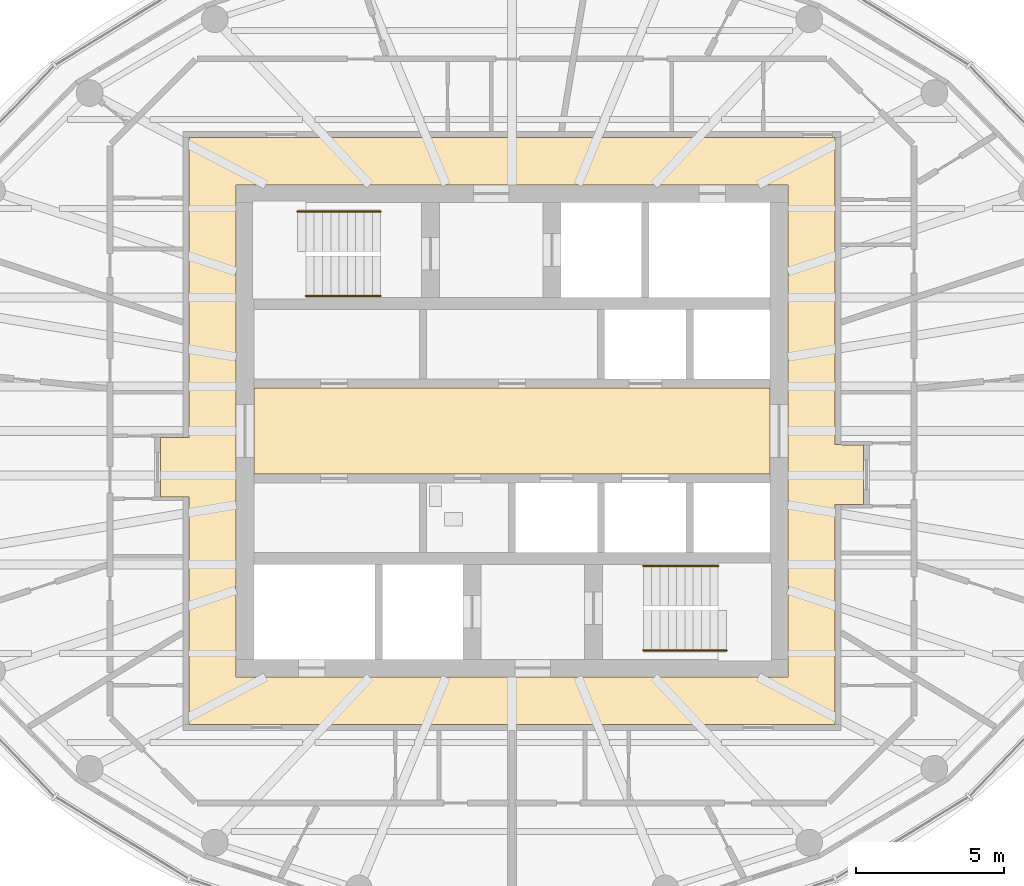
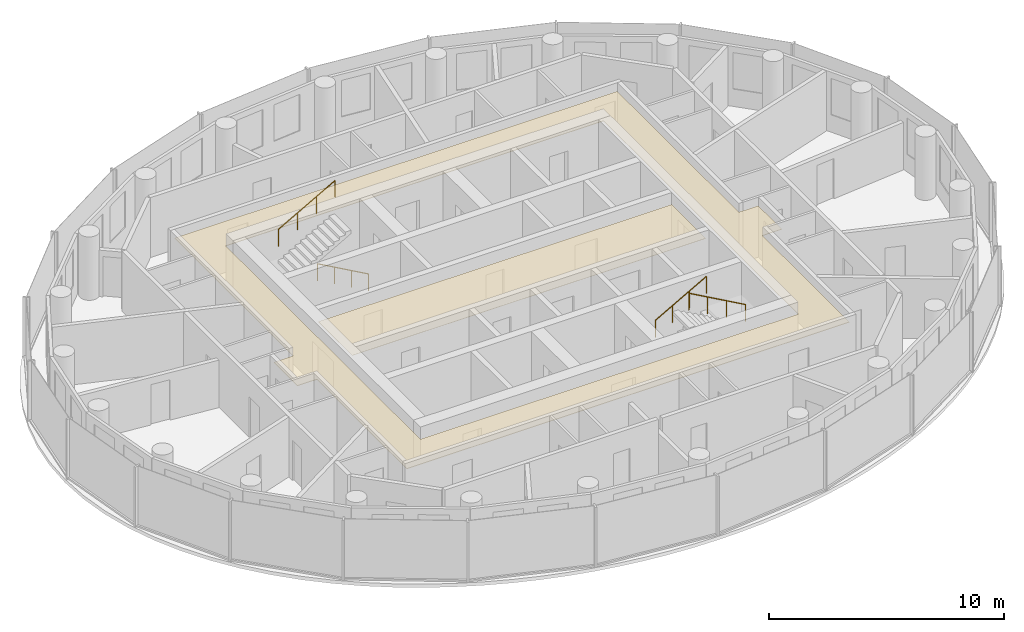
# One storey, part 11 of 12: 4 railings, 2 coverings.
"""IFC4 building model written with IfcOpenShell, lengths in metres."""

from ifc_helpers import new_model, si_unit, direction, frame, origin, origin_2d, place, context, subcontext, project, spatial, polyline, circle, outline, extrude, material, layer, layer_set, type_object, element, save


model = new_model("IFC4")

# Units and contexts
model_context = context("Model", 3, precision=1e-05, world=origin(), true_north=direction((0.0, 1.0)))
body_context = subcontext(model_context, "Body", "Model", "MODEL_VIEW")
ifc_project = project(units=[si_unit("LENGTHUNIT", "METRE"), si_unit("AREAUNIT", "SQUARE_METRE"), si_unit("VOLUMEUNIT", "CUBIC_METRE"), si_unit("PLANEANGLEUNIT", "RADIAN"), si_unit("MASSUNIT", "GRAM", prefix="KILO")], contexts=[model_context])

# Site, building, storey
site_placement = place(None, origin())
site = spatial("IfcSite", under=ifc_project, at=site_placement, CompositionType="ELEMENT")
building_placement = place(site_placement, origin())
building = spatial("IfcBuilding", under=site, at=building_placement, Name="Hankou Lantern Tower", CompositionType="ELEMENT")
storey_placement = place(building_placement, frame((0.0, 0.0, 216.0)))
storey = spatial("IfcBuildingStorey", under=building, at=storey_placement, Name="L58", CompositionType="ELEMENT", Elevation=216.0)

# Coverings
ifc_material_1 = material(Name="Black painted aluminium linear ceiling panels", Category="aluminium")
ifc_layer_1 = layer(ifc_material_1, 0.02490234375)
ifc_layer_set_1 = layer_set([ifc_layer_1], Name="Black painted aluminium linear ceiling panels")
covering_type_1 = type_object("IfcCoveringType", Name="CL1 CORRIDOR CEILING 25", PredefinedType="CEILING", material=ifc_layer_set_1)
covering_1_placement = place(storey_placement, frame((0.0, 0.0, 2.64501953125)))
element("IfcCovering", 1, at=covering_1_placement, inside=storey, type_object=covering_type_1, Name="Corridor ceiling L58", PredefinedType="CEILING", context=body_context, shape_type="SweptSolid", body=[
    extrude(outline(polyline([(11.85009765625, -2.474365234375), (11.85009765625, -0.474365234375), (11.1201171875, -0.474365234375), (11.1201171875, -0.46435546875), (10.89794921875, -0.46435546875), (10.89794921875, 9.89794921875), (-10.89794921875, 9.89794921875), (-10.89794921875, -0.21435546875), (-11.1201171875, -0.21435546875), (-11.1201171875, -0.224365234375), (-11.85009765625, -0.224365234375), (-11.85009765625, -2.224365234375), (-11.1201171875, -2.224365234375), (-11.1201171875, -2.234375), (-10.89794921875, -2.234375), (-10.89794921875, -9.89794921875), (10.89794921875, -9.89794921875), (10.89794921875, -2.484375), (11.1201171875, -2.484375), (11.1201171875, -2.474365234375), (11.85009765625, -2.474365234375)]), holes=[polyline([(-9.300048828125, 8.300048828125), (9.300048828125, 8.300048828125), (9.300048828125, -8.300048828125), (-9.300048828125, -8.300048828125), (-9.300048828125, 8.300048828125)])]), origin(), (0.0, 0.0, 1.0), 0.02490234375),
])
ifc_material_2 = material(Name="Perforated black aluminium acoustic tray ceiling", Category="aluminium")
ifc_layer_2 = layer(ifc_material_2, 0.014892578125)
ifc_layer_set_2 = layer_set([ifc_layer_2], Name="Perforated black aluminium acoustic tray ceiling")
covering_type_2 = type_object("IfcCoveringType", Name="CL2 LIFT LOBBY CEILING 15", PredefinedType="CEILING", material=ifc_layer_set_2)
covering_2_placement = place(storey_placement, frame((0.0, 0.0, 2.655029296875)))
element("IfcCovering", 2, at=covering_2_placement, inside=storey, type_object=covering_type_2, Name="Lift lobby ceiling L58", PredefinedType="CEILING", context=body_context, shape_type="SweptSolid", body=[
    extrude(outline(polyline([(-8.699951171875, -1.449951171875), (8.699951171875, -1.449951171875), (8.699951171875, 1.449951171875), (-8.699951171875, 1.449951171875), (-8.699951171875, -1.449951171875)])), origin(), (0.0, 0.0, 1.0), 0.014892578125),
])

# Railings
ifc_material_3 = material(Name="Steel handrail", Category="steel")
railing_type = type_object("IfcRailingType", Name="HR1 STAIR HANDRAIL", PredefinedType="HANDRAIL", material=ifc_material_3)
railing_1_placement = place(storey_placement, frame((-4.429931640625, 4.550048828125, 0.89990234375)))
element("IfcRailing", 3, at=railing_1_placement, inside=storey, type_object=railing_type, Name="Handrail stair STA L58 flight 1", PredefinedType="HANDRAIL", context=body_context, shape_type="SweptSolid", body=[
    extrude(circle(Radius=0.02392578125, at=origin_2d()), frame((0.0, 0.0, 0.8759765625), z_axis=(-0.872048945198, 0.0, 0.489418672692), x_axis=(0.0, -1.0, 0.0)), (0.0, 0.0, 1.0), 2.8896484375),
    extrude(circle(Radius=0.02099609375, at=origin_2d()), origin(), (0.0, 0.0, 1.0), 0.851806640625),
    extrude(circle(Radius=0.02099609375, at=origin_2d()), frame((-0.840087890625, 0.0, 0.471435546875)), (0.0, 0.0, 1.0), 0.851806640625),
    extrude(circle(Radius=0.02099609375, at=origin_2d()), frame((-1.679931640625, 0.0, 0.94287109375)), (0.0, 0.0, 1.0), 0.851806640625),
    extrude(circle(Radius=0.02099609375, at=origin_2d()), frame((-2.52001953125, 0.0, 1.414306640625)), (0.0, 0.0, 1.0), 0.851806640625),
])
railing_2_placement = place(storey_placement, frame((-7.22998046875, 7.39990234375, 2.471435546875)))
element("IfcRailing", 4, at=railing_2_placement, inside=storey, type_object=railing_type, Name="Handrail stair STA L58 flight 2", PredefinedType="HANDRAIL", context=body_context, shape_type="SweptSolid", body=[
    extrude(circle(Radius=0.02392578125, at=origin_2d()), frame((0.0, 0.0, 0.8759765625), z_axis=(0.872040151574, 0.0, 0.489434340891), x_axis=(0.0, 1.0, 0.0)), (0.0, 0.0, 1.0), 3.2109375),
    extrude(circle(Radius=0.02099609375, at=origin_2d()), origin(), (0.0, 0.0, 1.0), 0.851806640625),
    extrude(circle(Radius=0.02099609375, at=origin_2d()), frame((0.933349609375, 0.0, 0.52392578125)), (0.0, 0.0, 1.0), 0.851806640625),
    extrude(circle(Radius=0.02099609375, at=origin_2d()), frame((1.86669921875, 0.0, 1.047607421875)), (0.0, 0.0, 1.0), 0.851806640625),
    extrude(circle(Radius=0.02099609375, at=origin_2d()), frame((2.800048828125, 0.0, 1.571533203125)), (0.0, 0.0, 1.0), 0.851806640625),
])
railing_3_placement = place(storey_placement, frame((4.429931640625, -4.550048828125, 0.89990234375)))
element("IfcRailing", 5, at=railing_3_placement, inside=storey, type_object=railing_type, Name="Handrail stair STB L58 flight 1", PredefinedType="HANDRAIL", context=body_context, shape_type="SweptSolid", body=[
    extrude(circle(Radius=0.02392578125, at=origin_2d()), frame((0.0, 0.0, 0.8759765625), z_axis=(0.872048945198, 0.0, 0.489418672692), x_axis=(0.0, 1.0, 0.0)), (0.0, 0.0, 1.0), 2.8896484375),
    extrude(circle(Radius=0.02099609375, at=origin_2d()), origin(), (0.0, 0.0, 1.0), 0.851806640625),
    extrude(circle(Radius=0.02099609375, at=origin_2d()), frame((0.840087890625, 0.0, 0.471435546875)), (0.0, 0.0, 1.0), 0.851806640625),
    extrude(circle(Radius=0.02099609375, at=origin_2d()), frame((1.679931640625, 0.0, 0.94287109375)), (0.0, 0.0, 1.0), 0.851806640625),
    extrude(circle(Radius=0.02099609375, at=origin_2d()), frame((2.52001953125, 0.0, 1.414306640625)), (0.0, 0.0, 1.0), 0.851806640625),
])
railing_4_placement = place(storey_placement, frame((7.22998046875, -7.39990234375, 2.471435546875)))
element("IfcRailing", 6, at=railing_4_placement, inside=storey, type_object=railing_type, Name="Handrail stair STB L58 flight 2", PredefinedType="HANDRAIL", context=body_context, shape_type="SweptSolid", body=[
    extrude(circle(Radius=0.02392578125, at=origin_2d()), frame((0.0, 0.0, 0.8759765625), z_axis=(-0.872040151574, 0.0, 0.489434340891), x_axis=(0.0, -1.0, 0.0)), (0.0, 0.0, 1.0), 3.2109375),
    extrude(circle(Radius=0.02099609375, at=origin_2d()), origin(), (0.0, 0.0, 1.0), 0.851806640625),
    extrude(circle(Radius=0.02099609375, at=origin_2d()), frame((-0.933349609375, 0.0, 0.52392578125)), (0.0, 0.0, 1.0), 0.851806640625),
    extrude(circle(Radius=0.02099609375, at=origin_2d()), frame((-1.86669921875, 0.0, 1.047607421875)), (0.0, 0.0, 1.0), 0.851806640625),
    extrude(circle(Radius=0.02099609375, at=origin_2d()), frame((-2.800048828125, 0.0, 1.571533203125)), (0.0, 0.0, 1.0), 0.851806640625),
])

save(model, "model.ifc")
